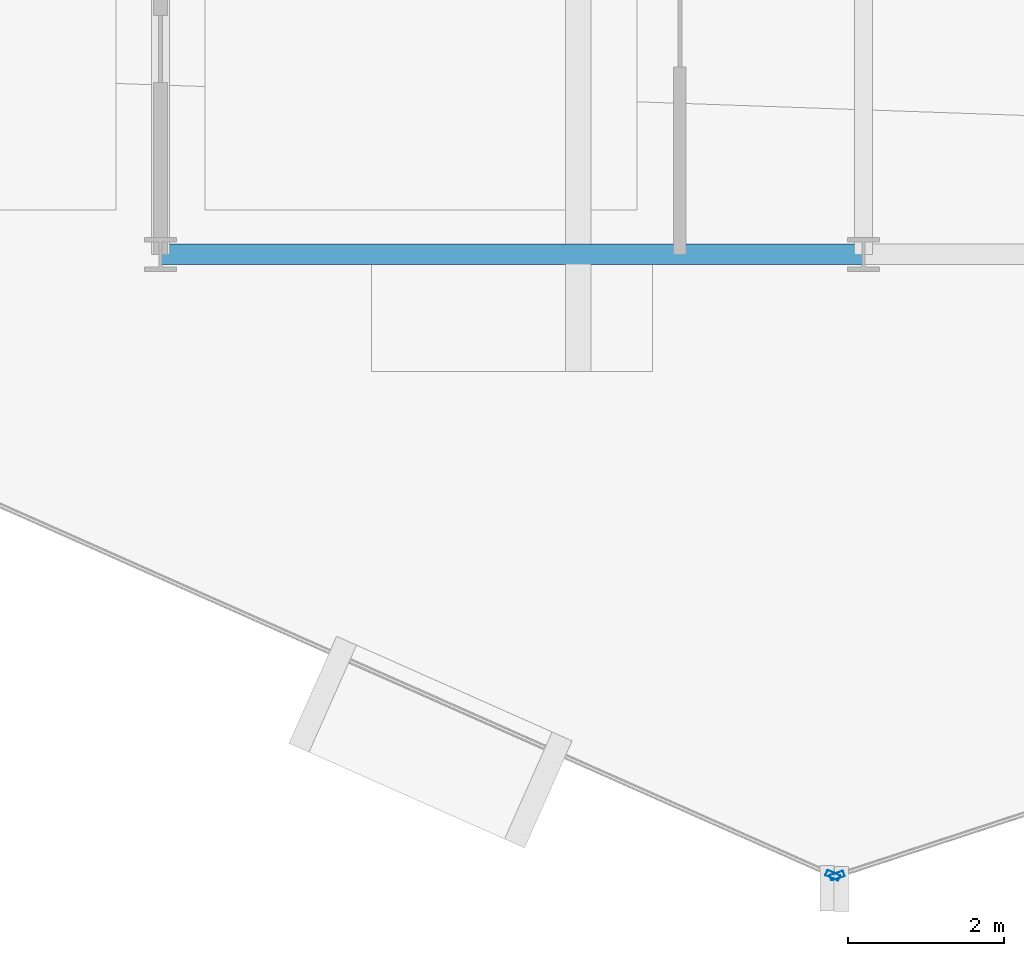
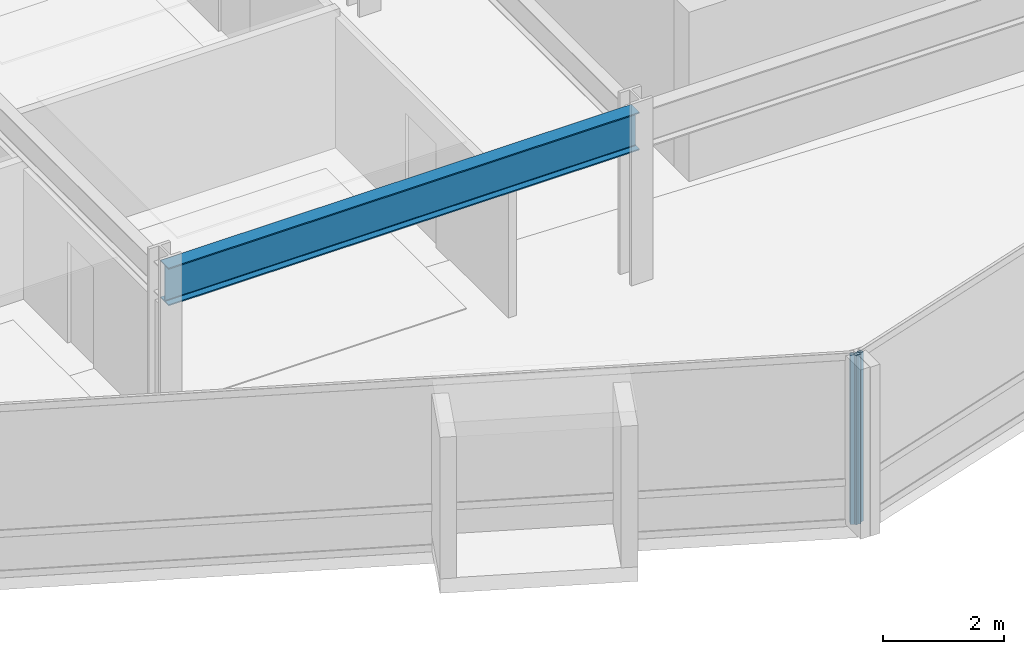
# One storey, part 4 of 29: 2 members, 1 beam, 2 elements without a shape of their own.
"""IFC4 building model written with IfcOpenShell, lengths in metres."""

from ifc_helpers import new_model, si_unit, direction, frame, origin, origin_2d, place, context, subcontext, project, spatial, hollow_rectangle, i_section, extrude, material, layer, layer_set, material_profile, profile_set, type_object, element, aggregate, save


model = new_model("IFC4")

# Units and contexts
model_context = context("Model", 3, precision=1e-05, world=origin(), true_north=direction((0.0, 1.0)))
body_context = subcontext(model_context, "Body", "Model", "MODEL_VIEW")
ifc_project = project(units=[si_unit("LENGTHUNIT", "METRE"), si_unit("AREAUNIT", "SQUARE_METRE"), si_unit("VOLUMEUNIT", "CUBIC_METRE"), si_unit("PLANEANGLEUNIT", "RADIAN"), si_unit("MASSUNIT", "GRAM", prefix="KILO")], contexts=[model_context])

# Site, building, storey
site_placement = place(None, origin())
site = spatial("IfcSite", under=ifc_project, at=site_placement, CompositionType="ELEMENT")
building_placement = place(site_placement, origin())
building = spatial("IfcBuilding", under=site, at=building_placement, Name="Solvaryn Broadcast Tower", CompositionType="ELEMENT")
storey_placement = place(building_placement, frame((0.0, 0.0, 161.800048828125)))
storey = spatial("IfcBuildingStorey", under=building, at=storey_placement, Name="L40", CompositionType="ELEMENT", Elevation=161.800048828125)

# Beam
ifc_material_1 = material(Name="Steel ASTM A992 Grade 50", Category="steel")
ifc_material_profile_1 = material_profile(ifc_material_1, i_section(OverallWidth=0.26708984375, OverallDepth=0.76611328125, WebThickness=0.014892578125, FlangeThickness=0.023681640625, FilletRadius=0.01806640625, at=origin_2d()))
ifc_profile_set_1 = profile_set([ifc_material_profile_1], Name="Steel ASTM A992 Grade 50")
beam_type = type_object("IfcBeamType", Name="BM-SP2-W30X124", PredefinedType="USERDEFINED", material=ifc_profile_set_1)
beam_placement = place(storey_placement, frame((18.0, 9.0, 3.036865234375), z_axis=(1.0, 0.0, 0.0), x_axis=(0.0, 1.0, 0.0)))
element("IfcBeam", 1, at=beam_placement, inside=storey, type_object=beam_type, Name="L40 Spandrel Beam X (18-27 @ Y=9)", ObjectType="SPANDREL", PredefinedType="USERDEFINED", context=body_context, shape_type="SweptSolid", body=[
    extrude(i_section(OverallWidth=0.26708984375, OverallDepth=0.76611328125, WebThickness=0.014892578125, FlangeThickness=0.023681640625, FilletRadius=0.01806640625, at=origin_2d()), origin(), (0.0, 0.0, 1.0), 9.0),
])

# Curtain wall, member
ifc_material_2 = material(Name="Aluminium and Terracotta Unitised Curtain Wall", Category="masonry")
ifc_layer = layer(ifc_material_2, 0.199951171875)
ifc_layer_set = layer_set([ifc_layer], Name="CW-SYS2-LOWMID")
curtain_wall_type = type_object("IfcCurtainWallType", Name="CW-SYS2-LOWMID", PredefinedType="NOTDEFINED", material=ifc_layer_set)
curtain_wall_1_placement = place(storey_placement, origin())
curtain_wall_1 = element("IfcCurtainWall", 2, at=curtain_wall_1_placement, inside=storey, type_object=curtain_wall_type, Name="L40 Curtain Wall DR3", PredefinedType="NOTDEFINED")
ifc_material_3 = material(Name="Anodised Aluminium 6063-T6", Category="aluminium")
ifc_material_profile_2 = material_profile(ifc_material_3, hollow_rectangle(XDim=0.074951171875, YDim=0.179931640625, WallThickness=0.00390625, InnerFilletRadius=0.00390625, OuterFilletRadius=0.008056640625, at=origin_2d()))
ifc_profile_set_2 = profile_set([ifc_material_profile_2], Name="Anodised Aluminium 6063-T6")
member_type = type_object("IfcMemberType", Name="CW-MUL-180", PredefinedType="MULLION", material=ifc_profile_set_2)
member_1_placement = place(storey_placement, frame((26.608642578125, 1.046142578125, 0.0), z_axis=(0.0, 0.0, 1.0), x_axis=(0.405918429309, 0.913909311008, 0.0)))
member_1 = element("IfcMember", 3, at=member_1_placement, type_object=member_type, Name="CWS2 mullion 2", PredefinedType="MULLION", context=body_context, shape_type="SweptSolid", body=[
    extrude(hollow_rectangle(XDim=0.074951171875, YDim=0.179931640625, WallThickness=0.00390625, InnerFilletRadius=0.00390625, OuterFilletRadius=0.008056640625, at=origin_2d()), origin(), (0.0, 0.0, 1.0), 3.419921875),
])
aggregate(curtain_wall_1, [member_1])

curtain_wall_2_placement = place(storey_placement, origin())
curtain_wall_2 = element("IfcCurtainWall", 4, at=curtain_wall_2_placement, inside=storey, type_object=curtain_wall_type, Name="L40 Curtain Wall DR4", PredefinedType="NOTDEFINED")
member_2_placement = place(storey_placement, frame((26.66455078125, 1.04345703125, 0.0), z_axis=(0.0, 0.0, 1.0), x_axis=(-0.311646057547, 0.950198260794, 0.0)))
member_2 = element("IfcMember", 5, at=member_2_placement, type_object=member_type, Name="CWS2 mullion 1", PredefinedType="MULLION", context=body_context, shape_type="SweptSolid", body=[
    extrude(hollow_rectangle(XDim=0.074951171875, YDim=0.179931640625, WallThickness=0.00390625, InnerFilletRadius=0.00390625, OuterFilletRadius=0.008056640625, at=origin_2d()), origin(), (0.0, 0.0, 1.0), 3.419921875),
])
aggregate(curtain_wall_2, [member_2])

save(model, "model.ifc")
